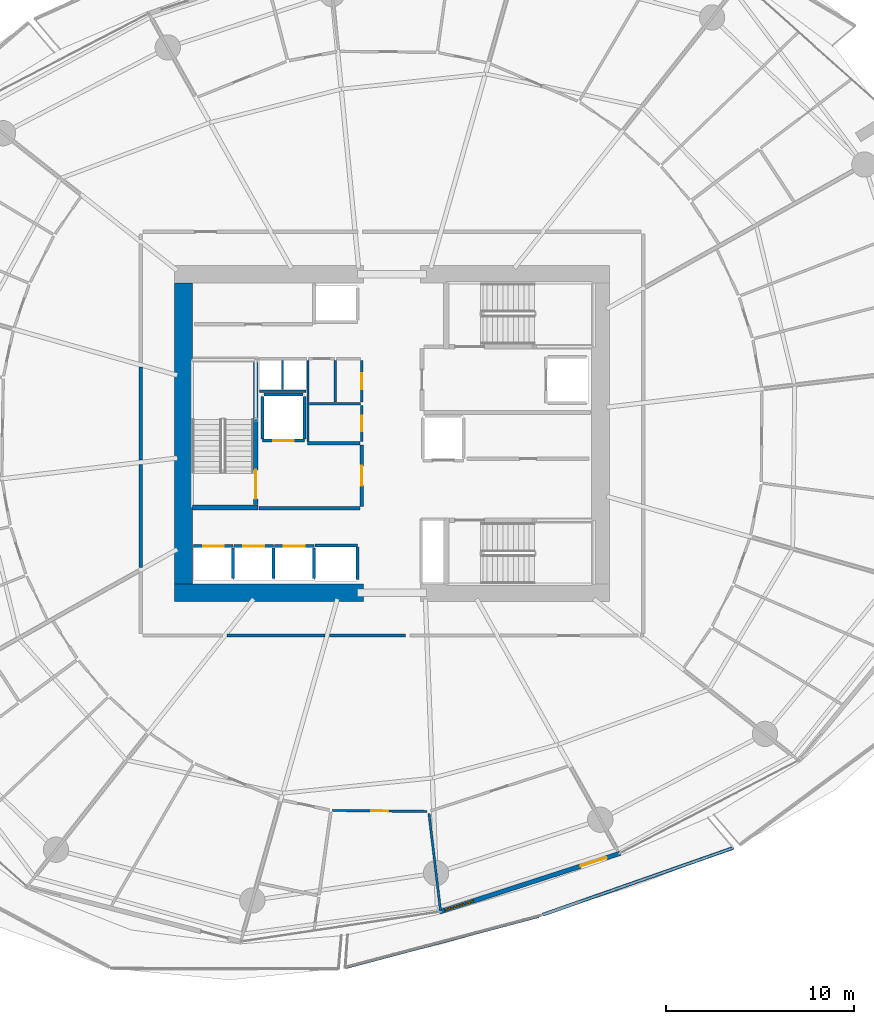
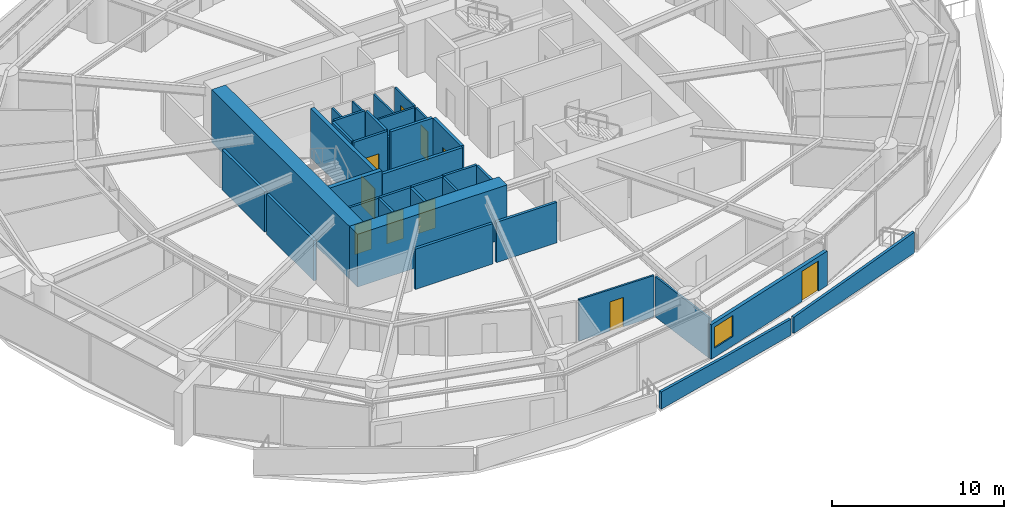
# One storey, part 20 of 31: 35 walls, 10 doors, 1 window, 11 openings.
"""IFC4 building model written with IfcOpenShell, lengths in metres."""

from ifc_helpers import new_model, si_unit, direction, frame, frame_2d, origin, place, context, subcontext, project, spatial, polyline, rectangle, outline, extrude, material, layer, layer_set, type_object, element, fill, save


model = new_model("IFC4")

# Units and contexts
model_context = context("Model", 3, precision=1e-05, world=origin(), true_north=direction((0.0, 1.0)))
body_context = subcontext(model_context, "Body", "Model", "MODEL_VIEW")
ifc_project = project(units=[si_unit("LENGTHUNIT", "METRE"), si_unit("AREAUNIT", "SQUARE_METRE"), si_unit("VOLUMEUNIT", "CUBIC_METRE"), si_unit("PLANEANGLEUNIT", "RADIAN"), si_unit("MASSUNIT", "GRAM", prefix="KILO")], contexts=[model_context])

# Site, building, storey
site_placement = place(None, origin())
site = spatial("IfcSite", under=ifc_project, at=site_placement, CompositionType="ELEMENT")
building_placement = place(site_placement, origin())
building = spatial("IfcBuilding", under=site, at=building_placement, Name="Kazma Halo Residences", CompositionType="ELEMENT")
storey_placement = place(building_placement, frame((0.0, 0.0, 30.14990234375)))
storey = spatial("IfcBuildingStorey", under=building, at=storey_placement, Name="L06", CompositionType="ELEMENT", Elevation=30.14990234375)

# Walls
ifc_material_1 = material(Name="White Concrete C50/60 Balustrade", Category="concrete")
ifc_layer_1 = layer(ifc_material_1, 0.179931640625)
ifc_layer_set_1 = layer_set([ifc_layer_1], Name="White Concrete C50/60 Balustrade")
wall_type_1 = type_object("IfcWallType", Name="WL-BAL-WAVE-180", PredefinedType="PARAPET", material=ifc_layer_set_1)
wall_1_placement = place(storey_placement, frame((45.93896484375, 13.593505859375, 0.0), z_axis=(0.0, 0.0, 1.0), x_axis=(0.966585359961, 0.256344966614, 0.0)))
element("IfcWall", 1, at=wall_1_placement, inside=storey, type_object=wall_type_1, Name="L06 white wave balustrade wall SSE.1", PredefinedType="PARAPET", context=body_context, shape_type="SweptSolid", body=[
    extrude(outline(polyline([(0.0, 0.0), (10.63427734375, 0.0), (10.634521484375, 1.148193359375), (5.3173828125, 1.127197265625), (0.0, 1.22412109375), (0.0, 0.0)])), frame((0.0, 0.08984375, 0.0), z_axis=(0.0, -1.0, 0.0), x_axis=(1.0, 0.0, 0.0)), (0.0, 0.0, 1.0), 0.179931640625),
])
wall_2_placement = place(storey_placement, frame((56.447265625, 16.39013671875, 0.0), z_axis=(0.0, 0.0, 1.0), x_axis=(0.943634553286, 0.330989168772, 0.0)))
element("IfcWall", 2, at=wall_2_placement, inside=storey, type_object=wall_type_1, Name="L06 white wave balustrade wall SSE.2", PredefinedType="PARAPET", context=body_context, shape_type="SweptSolid", body=[
    extrude(outline(polyline([(0.0, 0.0), (10.7587890625, 0.0), (10.7587890625, 1.483154296875), (5.37939453125, 1.2841796875), (0.0, 1.148193359375), (0.0, 0.0)])), frame((0.0, 0.08984375, 0.0), z_axis=(0.0, -1.0, 0.0), x_axis=(1.0, 0.0, 0.0)), (0.0, 0.0, 1.0), 0.179931640625),
])
ifc_material_2 = material(Name="Concrete C80/95", Category="concrete")
ifc_layer_2 = layer(ifc_material_2, 0.949951171875)
ifc_layer_set_2 = layer_set([ifc_layer_2], Name="Concrete C80/95")
wall_type_2 = type_object("IfcWallType", Name="WL-CORE-950", PredefinedType="SHEAR", material=ifc_layer_set_2)
wall_3_placement = place(storey_placement, frame((36.85009765625, 33.52490234375, 0.0), z_axis=(0.0, 0.0, 1.0), x_axis=(1.0, 0.0, 0.0)))
element("IfcWall", 3, at=wall_3_placement, inside=storey, type_object=wall_type_2, Name="L06 central core shear wall SW", PredefinedType="SHEAR", context=body_context, shape_type="SweptSolid", body=[
    extrude(rectangle(XDim=10.0498046875, YDim=0.949951171875, at=frame_2d((5.02490234375, 0.0))), origin(), (0.0, 0.0, 1.0), 3.75),
])
wall_4_placement = place(storey_placement, frame((37.324951171875, 34.0, 0.0), z_axis=(0.0, 0.0, 1.0), x_axis=(0.0, 1.0, 0.0)))
element("IfcWall", 4, at=wall_4_placement, inside=storey, type_object=wall_type_2, Name="L06 central core shear wall W", PredefinedType="SHEAR", context=body_context, shape_type="SweptSolid", body=[
    extrude(rectangle(XDim=16.0, YDim=0.949951171875, at=frame_2d((8.0, 0.0))), origin(), (0.0, 0.0, 1.0), 3.75),
])
ifc_material_3 = material(Name="Concrete C60/75", Category="concrete")
ifc_layer_3 = layer(ifc_material_3, 0.280029296875)
ifc_layer_set_3 = layer_set([ifc_layer_3], Name="Concrete C60/75")
wall_type_3 = type_object("IfcWallType", Name="WL-CORE-ST-280", PredefinedType="SHEAR", material=ifc_layer_set_3)
wall_5_placement = place(storey_placement, frame((37.800048828125, 38.06005859375, 0.0), z_axis=(0.0, 0.0, 1.0), x_axis=(1.0, 0.0, 0.0)))
element("IfcWall", 5, at=wall_5_placement, inside=storey, type_object=wall_type_3, Name="L06 stairwell bearing wall ST01-S", PredefinedType="SHEAR", context=body_context, shape_type="SweptSolid", body=[
    extrude(rectangle(XDim=3.5, YDim=0.280029296875, at=frame_2d((1.75, 0.0))), origin(), (0.0, 0.0, 1.0), 3.75),
])
ifc_material_4 = material(Name="Acoustic Twin-Stud Gypsum")
ifc_layer_4 = layer(ifc_material_4, 0.179931640625)
ifc_layer_set_4 = layer_set([ifc_layer_4], Name="Acoustic Twin-Stud Gypsum")
wall_type_4 = type_object("IfcWallType", Name="WL-DEM-180", PredefinedType="PARTITIONING", material=ifc_layer_set_4)
wall_6_placement = place(storey_placement, frame((35.050048828125, 45.5322265625, 0.0), z_axis=(0.0, 0.0, 1.0), x_axis=(0.0, -1.0, 0.0)))
element("IfcWall", 6, at=wall_6_placement, inside=storey, type_object=wall_type_4, Name="L06 Apartment 1 inner wall 6", PredefinedType="PARTITIONING", context=body_context, shape_type="SweptSolid", body=[
    extrude(rectangle(XDim=4.94482421875, YDim=0.179931640625, at=frame_2d((2.472412109375, 0.0))), origin(), (0.0, 0.0, 1.0), 2.8671875),
])
wall_7_placement = place(storey_placement, frame((35.050048828125, 40.347412109375, 0.0), z_axis=(0.0, 0.0, 1.0), x_axis=(0.0, -1.0, 0.0)))
element("IfcWall", 7, at=wall_7_placement, inside=storey, type_object=wall_type_4, Name="L06 Apartment 1 inner wall 7", PredefinedType="PARTITIONING", context=body_context, shape_type="SweptSolid", body=[
    extrude(rectangle(XDim=5.479736328125, YDim=0.179931640625, at=frame_2d((2.73974609375, 0.0))), origin(), (0.0, 0.0, 1.0), 2.8671875),
])
wall_8_placement = place(storey_placement, frame((39.6455078125, 31.25, 0.0), z_axis=(0.0, 0.0, 1.0), x_axis=(1.0, 0.0, 0.0)))
element("IfcWall", 8, at=wall_8_placement, inside=storey, type_object=wall_type_4, Name="L06 Apartment 2 inner wall 9", PredefinedType="PARTITIONING", context=body_context, shape_type="SweptSolid", body=[
    extrude(rectangle(XDim=5.20263671875, YDim=0.179931640625, at=frame_2d((2.601318359375, 0.0))), origin(), (0.0, 0.0, 1.0), 2.8671875),
])
wall_9_placement = place(storey_placement, frame((45.088134765625, 31.25, 0.0), z_axis=(0.0, 0.0, 1.0), x_axis=(1.0, 0.0, 0.0)))
element("IfcWall", 9, at=wall_9_placement, inside=storey, type_object=wall_type_4, Name="L06 Apartment 2 inner wall 10", PredefinedType="PARTITIONING", context=body_context, shape_type="SweptSolid", body=[
    extrude(rectangle(XDim=4.064208984375, YDim=0.179931640625, at=frame_2d((2.0322265625, 0.0))), origin(), (0.0, 0.0, 1.0), 2.8671875),
])

# Wall, openings, door, window
ifc_material_5 = material(Name="Insulated Pale-Metal Composite Wall")
ifc_layer_5 = layer(ifc_material_5, 0.239990234375)
ifc_layer_set_5 = layer_set([ifc_layer_5], Name="Insulated Pale-Metal Composite Wall")
wall_type_5 = type_object("IfcWallType", Name="WL-EXT-HOST-240", PredefinedType="SOLIDWALL", material=ifc_layer_set_5)
wall_10_placement = place(storey_placement, frame((50.9638671875, 16.54150390625, 0.0), z_axis=(0.0, 0.0, 1.0), x_axis=(0.951054679225, 0.309022648238, 0.0)))
wall_10 = element("IfcWall", 10, at=wall_10_placement, inside=storey, type_object=wall_type_5, Name="L06 exterior terrace-access wall B12", PredefinedType="SOLIDWALL", context=body_context, shape_type="SweptSolid", body=[
    extrude(rectangle(XDim=10.0966796875, YDim=0.239990234375, at=frame_2d((5.04833984375, 0.0))), origin(), (0.0, 0.0, 1.0), 2.4501953125),
])
opening_1_placement = place(wall_10_placement, frame((7.876708984375, 0.0, 0.0)))
opening_1 = element("IfcOpeningElement", 11, at=opening_1_placement, cuts=wall_10, Name="Opening DTR-1600", PredefinedType="OPENING", context=body_context, shape_type="SweptSolid", body=[
    extrude(rectangle(XDim=1.449951171875, YDim=2.14990234375, at=frame_2d((0.72509765625, 1.074951171875))), frame((0.0, 0.1298828125, 0.0), z_axis=(0.0, -1.0, 0.0), x_axis=(1.0, 0.0, 0.0)), (0.0, 0.0, 1.0), 0.260009765625),
])
opening_2_placement = place(wall_10_placement, frame((0.280029296875, 0.0, 0.64990234375)))
opening_2 = element("IfcOpeningElement", 12, at=opening_2_placement, cuts=wall_10, Name="Opening W-1800", PredefinedType="OPENING", context=body_context, shape_type="SweptSolid", body=[
    extrude(rectangle(XDim=1.60009765625, YDim=1.5, at=frame_2d((0.800048828125, 0.75))), frame((0.0, 0.1298828125, 0.0), z_axis=(0.0, -1.0, 0.0), x_axis=(1.0, 0.0, 0.0)), (0.0, 0.0, 1.0), 0.260009765625),
])
ifc_material_6 = material(Name="Aluminium AW-6063 T6 Double-Glazed Terrace Door", Category="aluminium")
door_type_1 = type_object("IfcDoorType", Name="DR-EXT-TERR-1600", OperationType="NOTDEFINED", PredefinedType="DOOR", material=ifc_material_6)
door_1_placement = place(opening_1_placement, origin())
door_1 = element("IfcDoor", 13, at=door_1_placement, inside=storey, type_object=door_type_1, Name="L06 B12 balcony terrace door", OperationType="DOUBLE_DOOR_SLIDING", OverallHeight=2.14990234375, OverallWidth=1.449951171875, PredefinedType="DOOR", context=body_context, shape_type="SweptSolid", body=[
    extrude(rectangle(XDim=1.449951171875, YDim=2.14990234375, at=frame_2d((0.72509765625, 1.074951171875))), frame((0.0, 0.02490234375, 0.0), z_axis=(0.0, -1.0, 0.0), x_axis=(1.0, 0.0, 0.0)), (0.0, 0.0, 1.0), 0.050048828125),
])
fill(opening_1, door_1)
ifc_material_7 = material(Name="Clear Triple-Silver Low-E Glass in Aluminium AW-6063 T6 Frame", Category="aluminium")
window_type = type_object("IfcWindowType", Name="WIN-RES-1800", PartitioningType="DOUBLE_PANEL_VERTICAL", PredefinedType="WINDOW", material=ifc_material_7)
window_placement = place(opening_2_placement, origin())
window = element("IfcWindow", 14, at=window_placement, inside=storey, type_object=window_type, Name="L06 B12 apartment window", OverallHeight=1.5, OverallWidth=1.60009765625, PartitioningType="SINGLE_PANEL", PredefinedType="WINDOW", context=body_context, shape_type="SweptSolid", body=[
    extrude(rectangle(XDim=1.60009765625, YDim=1.5, at=frame_2d((0.800048828125, 0.75))), frame((0.0, 0.030029296875, 0.0), z_axis=(0.0, -1.0, 0.0), x_axis=(1.0, 0.0, 0.0)), (0.0, 0.0, 1.0), 0.06005859375),
])
fill(opening_2, window)

# Wall, opening, door
ifc_material_8 = material(Name="Fire-Rated Blockwork Masonry", Category="masonry")
ifc_layer_6 = layer(ifc_material_8, 0.199951171875)
ifc_layer_set_6 = layer_set([ifc_layer_6], Name="Fire-Rated Blockwork Masonry")
wall_type_6 = type_object("IfcWallType", Name="WL-FLB-200", PredefinedType="PARTITIONING", material=ifc_layer_set_6)
wall_11_placement = place(storey_placement, frame((37.864990234375, 36.0048828125, 0.0), z_axis=(0.0, 0.0, 1.0), x_axis=(1.0, 0.0, 0.0)))
wall_11 = element("IfcWall", 15, at=wall_11_placement, inside=storey, type_object=wall_type_6, Name="L06 lift shaft PL-01 front wall", PredefinedType="PARTITIONING", context=body_context, shape_type="SweptSolid", body=[
    extrude(rectangle(XDim=2.110107421875, YDim=0.159912109375, at=frame_2d((1.05517578125, 0.0))), origin(), (0.0, 0.0, 1.0), 3.5),
])
opening_3_placement = place(wall_11_placement, frame((0.5048828125, 0.0, 0.0)))
opening_3 = element("IfcOpeningElement", 16, at=opening_3_placement, cuts=wall_11, Name="Opening LD-PL-01", PredefinedType="OPENING", context=body_context, shape_type="SweptSolid", body=[
    extrude(rectangle(XDim=1.10009765625, YDim=2.10009765625, at=frame_2d((0.550048828125, 1.050048828125))), frame((0.0, 0.08984375, 0.0), z_axis=(0.0, -1.0, 0.0), x_axis=(1.0, 0.0, 0.0)), (0.0, 0.0, 1.0), 0.179931640625),
])
ifc_material_9 = material(Name="Stainless Steel Fire-Rated", Category="steel")
door_type_2 = type_object("IfcDoorType", Name="DR-LIFT-SLD-1100", OperationType="DOUBLE_DOOR_SLIDING", PredefinedType="DOOR", material=ifc_material_9)
door_2_placement = place(opening_3_placement, origin())
door_2 = element("IfcDoor", 17, at=door_2_placement, inside=storey, type_object=door_type_2, Name="L06 lift PL-01 sliding landing door", OperationType="DOUBLE_DOOR_SLIDING", OverallHeight=2.10009765625, OverallWidth=1.10009765625, PredefinedType="DOOR", context=body_context, shape_type="SweptSolid", body=[
    extrude(rectangle(XDim=1.10009765625, YDim=2.10009765625, at=frame_2d((0.550048828125, 1.050048828125))), frame((0.0, 0.02490234375, 0.0), z_axis=(0.0, -1.0, 0.0), x_axis=(1.0, 0.0, 0.0)), (0.0, 0.0, 1.0), 0.050048828125),
])
fill(opening_3, door_2)

# Wall
wall_12_placement = place(storey_placement, frame((39.97509765625, 34.294921875, 0.0), z_axis=(0.0, 0.0, 1.0), x_axis=(0.0, 1.0, 0.0)))
element("IfcWall", 18, at=wall_12_placement, inside=storey, type_object=wall_type_6, Name="L06 lift shaft PL-01 side wall E", PredefinedType="PARTITIONING", context=body_context, shape_type="SweptSolid", body=[
    extrude(rectangle(XDim=1.610107421875, YDim=0.159912109375, at=frame_2d((0.80517578125, 0.0))), origin(), (0.0, 0.0, 1.0), 3.5),
])

# Wall, opening, door
wall_13_placement = place(storey_placement, frame((40.014892578125, 36.0048828125, 0.0), z_axis=(0.0, 0.0, 1.0), x_axis=(1.0, 0.0, 0.0)))
wall_13 = element("IfcWall", 19, at=wall_13_placement, inside=storey, type_object=wall_type_6, Name="L06 lift shaft PL-02 front wall", PredefinedType="PARTITIONING", context=body_context, shape_type="SweptSolid", body=[
    extrude(rectangle(XDim=2.110107421875, YDim=0.159912109375, at=frame_2d((1.05517578125, 0.0))), origin(), (0.0, 0.0, 1.0), 3.5),
])
opening_4_placement = place(wall_13_placement, frame((0.5048828125, 0.0, 0.0)))
opening_4 = element("IfcOpeningElement", 20, at=opening_4_placement, cuts=wall_13, Name="Opening LD-PL-02", PredefinedType="OPENING", context=body_context, shape_type="SweptSolid", body=[
    extrude(rectangle(XDim=1.10009765625, YDim=2.10009765625, at=frame_2d((0.550048828125, 1.050048828125))), frame((0.0, 0.08984375, 0.0), z_axis=(0.0, -1.0, 0.0), x_axis=(1.0, 0.0, 0.0)), (0.0, 0.0, 1.0), 0.179931640625),
])
door_3_placement = place(opening_4_placement, origin())
door_3 = element("IfcDoor", 21, at=door_3_placement, inside=storey, type_object=door_type_2, Name="L06 lift PL-02 sliding landing door", OperationType="DOUBLE_DOOR_SLIDING", OverallHeight=2.10009765625, OverallWidth=1.10009765625, PredefinedType="DOOR", context=body_context, shape_type="SweptSolid", body=[
    extrude(rectangle(XDim=1.10009765625, YDim=2.10009765625, at=frame_2d((0.550048828125, 1.050048828125))), frame((0.0, 0.02490234375, 0.0), z_axis=(0.0, -1.0, 0.0), x_axis=(1.0, 0.0, 0.0)), (0.0, 0.0, 1.0), 0.050048828125),
])
fill(opening_4, door_3)

# Wall
wall_14_placement = place(storey_placement, frame((42.125, 34.294921875, 0.0), z_axis=(0.0, 0.0, 1.0), x_axis=(0.0, 1.0, 0.0)))
element("IfcWall", 22, at=wall_14_placement, inside=storey, type_object=wall_type_6, Name="L06 lift shaft PL-02 side wall E", PredefinedType="PARTITIONING", context=body_context, shape_type="SweptSolid", body=[
    extrude(rectangle(XDim=1.610107421875, YDim=0.159912109375, at=frame_2d((0.80517578125, 0.0))), origin(), (0.0, 0.0, 1.0), 3.5),
])

# Wall, opening, door
wall_15_placement = place(storey_placement, frame((42.1650390625, 36.0048828125, 0.0), z_axis=(0.0, 0.0, 1.0), x_axis=(1.0, 0.0, 0.0)))
wall_15 = element("IfcWall", 23, at=wall_15_placement, inside=storey, type_object=wall_type_6, Name="L06 lift shaft PL-03 front wall", PredefinedType="PARTITIONING", context=body_context, shape_type="SweptSolid", body=[
    extrude(rectangle(XDim=2.10986328125, YDim=0.159912109375, at=frame_2d((1.054931640625, 0.0))), origin(), (0.0, 0.0, 1.0), 3.5),
])
opening_5_placement = place(wall_15_placement, frame((0.5048828125, 0.0, 0.0)))
opening_5 = element("IfcOpeningElement", 24, at=opening_5_placement, cuts=wall_15, Name="Opening LD-PL-03", PredefinedType="OPENING", context=body_context, shape_type="SweptSolid", body=[
    extrude(rectangle(XDim=1.10009765625, YDim=2.10009765625, at=frame_2d((0.550048828125, 1.050048828125))), frame((0.0, 0.08984375, 0.0), z_axis=(0.0, -1.0, 0.0), x_axis=(1.0, 0.0, 0.0)), (0.0, 0.0, 1.0), 0.179931640625),
])
door_4_placement = place(opening_5_placement, origin())
door_4 = element("IfcDoor", 25, at=door_4_placement, inside=storey, type_object=door_type_2, Name="L06 lift PL-03 sliding landing door", OperationType="DOUBLE_DOOR_SLIDING", OverallHeight=2.10009765625, OverallWidth=1.10009765625, PredefinedType="DOOR", context=body_context, shape_type="SweptSolid", body=[
    extrude(rectangle(XDim=1.10009765625, YDim=2.10009765625, at=frame_2d((0.550048828125, 1.050048828125))), frame((0.0, 0.02490234375, 0.0), z_axis=(0.0, -1.0, 0.0), x_axis=(1.0, 0.0, 0.0)), (0.0, 0.0, 1.0), 0.050048828125),
])
fill(opening_5, door_4)

# Walls
wall_16_placement = place(storey_placement, frame((44.27490234375, 34.294921875, 0.0), z_axis=(0.0, 0.0, 1.0), x_axis=(0.0, 1.0, 0.0)))
element("IfcWall", 26, at=wall_16_placement, inside=storey, type_object=wall_type_6, Name="L06 lift shaft PL-03 side wall E", PredefinedType="PARTITIONING", context=body_context, shape_type="SweptSolid", body=[
    extrude(rectangle(XDim=1.610107421875, YDim=0.159912109375, at=frame_2d((0.80517578125, 0.0))), origin(), (0.0, 0.0, 1.0), 3.5),
])
wall_17_placement = place(storey_placement, frame((44.320068359375, 36.054931640625, 0.0), z_axis=(0.0, 0.0, 1.0), x_axis=(1.0, 0.0, 0.0)))
element("IfcWall", 27, at=wall_17_placement, inside=storey, type_object=wall_type_6, Name="L06 lift shaft PX-02 front wall", PredefinedType="PARTITIONING", context=body_context, shape_type="SweptSolid", body=[
    extrude(rectangle(XDim=2.260009765625, YDim=0.159912109375, at=frame_2d((1.1298828125, 0.0))), origin(), (0.0, 0.0, 1.0), 3.5),
])
wall_18_placement = place(storey_placement, frame((46.580078125, 34.2451171875, 0.0), z_axis=(0.0, 0.0, 1.0), x_axis=(0.0, 1.0, 0.0)))
element("IfcWall", 28, at=wall_18_placement, inside=storey, type_object=wall_type_6, Name="L06 lift shaft PX-02 side wall E", PredefinedType="PARTITIONING", context=body_context, shape_type="SweptSolid", body=[
    extrude(rectangle(XDim=1.7099609375, YDim=0.159912109375, at=frame_2d((0.85498046875, 0.0))), origin(), (0.0, 0.0, 1.0), 3.5),
])

# Wall, opening, door
wall_19_placement = place(storey_placement, frame((43.780029296875, 41.6201171875, 0.0), z_axis=(0.0, 0.0, 1.0), x_axis=(-1.0, 0.0, 0.0)))
wall_19 = element("IfcWall", 29, at=wall_19_placement, inside=storey, type_object=wall_type_6, Name="L06 lift shaft FL-01 front wall", PredefinedType="PARTITIONING", context=body_context, shape_type="SweptSolid", body=[
    extrude(rectangle(XDim=2.260009765625, YDim=0.159912109375, at=frame_2d((1.1298828125, 0.0))), origin(), (0.0, 0.0, 1.0), 3.5),
])
opening_6_placement = place(wall_19_placement, frame((0.580078125, 0.0, 0.0)))
opening_6 = element("IfcOpeningElement", 30, at=opening_6_placement, cuts=wall_19, Name="Opening LD-FL-01", PredefinedType="OPENING", context=body_context, shape_type="SweptSolid", body=[
    extrude(rectangle(XDim=1.10009765625, YDim=2.10009765625, at=frame_2d((0.550048828125, 1.050048828125))), frame((0.0, 0.08984375, 0.0), z_axis=(0.0, -1.0, 0.0), x_axis=(1.0, 0.0, 0.0)), (0.0, 0.0, 1.0), 0.179931640625),
])
door_5_placement = place(opening_6_placement, origin())
door_5 = element("IfcDoor", 31, at=door_5_placement, inside=storey, type_object=door_type_2, Name="L06 lift FL-01 sliding landing door", OperationType="DOUBLE_DOOR_SLIDING", OverallHeight=2.10009765625, OverallWidth=1.10009765625, PredefinedType="DOOR", context=body_context, shape_type="SweptSolid", body=[
    extrude(rectangle(XDim=1.10009765625, YDim=2.10009765625, at=frame_2d((0.550048828125, 1.050048828125))), frame((0.0, 0.02490234375, 0.0), z_axis=(0.0, -1.0, 0.0), x_axis=(1.0, 0.0, 0.0)), (0.0, 0.0, 1.0), 0.050048828125),
])
fill(opening_6, door_5)

# Walls
for number, where, z_axis, x_axis, name in (
    (32, (43.780029296875, 41.719970703125, 0.0), (0.0, 0.0, 1.0), (0.0, 1.0, 0.0), "L06 lift shaft FL-01 side wall E"),
    (33, (41.52001953125, 41.719970703125, 0.0), (0.0, 0.0, 1.0), (0.0, 1.0, 0.0), "L06 lift shaft FL-01 side wall W"),
):
    element("IfcWall", number, at=place(storey_placement, frame(where, z_axis=z_axis, x_axis=x_axis)), inside=storey, type_object=wall_type_6, Name=name, PredefinedType="PARTITIONING", context=body_context, shape_type="SweptSolid", body=[
        extrude(rectangle(XDim=2.260009765625, YDim=0.159912109375, at=frame_2d((1.1298828125, 0.0))), origin(), (0.0, 0.0, 1.0), 3.5),
    ])
wall_20_placement = place(storey_placement, frame((41.6201171875, 44.080078125, 0.0), z_axis=(0.0, 0.0, 1.0), x_axis=(1.0, 0.0, 0.0)))
element("IfcWall", 34, at=wall_20_placement, inside=storey, type_object=wall_type_6, Name="L06 lift shaft FL-01 side wall N", PredefinedType="PARTITIONING", context=body_context, shape_type="SweptSolid", body=[
    extrude(rectangle(XDim=2.059814453125, YDim=0.159912109375, at=frame_2d((1.02978515625, 0.0))), origin(), (0.0, 0.0, 1.0), 3.5),
])
wall_21_placement = place(storey_placement, frame((41.35009765625, 38.02001953125, 0.0), z_axis=(0.0, 0.0, 1.0), x_axis=(1.0, 0.0, 0.0)))
element("IfcWall", 35, at=wall_21_placement, inside=storey, type_object=wall_type_6, Name="L06 west firefighting lobby south smoke wall", PredefinedType="PARTITIONING", context=body_context, shape_type="SweptSolid", body=[
    extrude(rectangle(XDim=5.369873046875, YDim=0.199951171875, at=frame_2d((2.68505859375, 0.0))), origin(), (0.0, 0.0, 1.0), 3.5),
])
wall_22_placement = place(storey_placement, frame((43.919921875, 41.47998046875, 0.0), z_axis=(0.0, 0.0, 1.0), x_axis=(1.0, 0.0, 0.0)))
element("IfcWall", 36, at=wall_22_placement, inside=storey, type_object=wall_type_6, Name="L06 west firefighting lobby north smoke wall", PredefinedType="PARTITIONING", context=body_context, shape_type="SweptSolid", body=[
    extrude(rectangle(XDim=2.800048828125, YDim=0.199951171875, at=frame_2d((1.39990234375, 0.0))), origin(), (0.0, 0.0, 1.0), 3.5),
])

# Wall, opening, door
wall_23_placement = place(storey_placement, frame((46.820068359375, 38.1201171875, 0.0), z_axis=(0.0, 0.0, 1.0), x_axis=(0.0, 1.0, 0.0)))
wall_23 = element("IfcWall", 37, at=wall_23_placement, inside=storey, type_object=wall_type_6, Name="L06 west firefighting lobby smoke wall", PredefinedType="PARTITIONING", context=body_context, shape_type="SweptSolid", body=[
    extrude(rectangle(XDim=3.259765625, YDim=0.199951171875, at=frame_2d((1.6298828125, 0.0))), origin(), (0.0, 0.0, 1.0), 3.5),
])
opening_7_placement = place(wall_23_placement, frame((1.10498046875, 0.0, 0.0)))
opening_7 = element("IfcOpeningElement", 38, at=opening_7_placement, cuts=wall_23, Name="Opening D-FLW", PredefinedType="OPENING", context=body_context, shape_type="SweptSolid", body=[
    extrude(rectangle(XDim=1.050048828125, YDim=2.10009765625, at=frame_2d((0.52490234375, 1.050048828125))), frame((0.0, 0.10986328125, 0.0), z_axis=(0.0, -1.0, 0.0), x_axis=(1.0, 0.0, 0.0)), (0.0, 0.0, 1.0), 0.219970703125),
])
ifc_material_10 = material(Name="Fire-Rated Steel Leaf", Category="steel")
door_type_3 = type_object("IfcDoorType", Name="DR-FD90-1050", OperationType="NOTDEFINED", PredefinedType="DOOR", material=ifc_material_10)
door_6_placement = place(opening_7_placement, origin())
door_6 = element("IfcDoor", 39, at=door_6_placement, inside=storey, type_object=door_type_3, Name="L06 west firefighting lobby smoke door", OperationType="SINGLE_SWING_LEFT", OverallHeight=2.10009765625, OverallWidth=1.050048828125, PredefinedType="DOOR", context=body_context, shape_type="SweptSolid", body=[
    extrude(rectangle(XDim=1.050048828125, YDim=2.10009765625, at=frame_2d((0.52490234375, 1.050048828125))), frame((0.0, 0.02490234375, 0.0), z_axis=(0.0, -1.0, 0.0), x_axis=(1.0, 0.0, 0.0)), (0.0, 0.0, 1.0), 0.050048828125),
])
fill(opening_7, door_6)

# Walls
ifc_material_11 = material(Name="Gypsum Plasterboard Partition")
ifc_layer_7 = layer(ifc_material_11, 0.125)
ifc_layer_set_7 = layer_set([ifc_layer_7], Name="Gypsum Plasterboard Partition")
wall_type_7 = type_object("IfcWallType", Name="WL-PART-125", PredefinedType="PARTITIONING", material=ifc_layer_set_7)
wall_24_placement = place(storey_placement, frame((41.360107421875, 44.260009765625, 0.0), z_axis=(0.0, 0.0, 1.0), x_axis=(1.0, 0.0, 0.0)))
element("IfcWall", 40, at=wall_24_placement, inside=storey, type_object=wall_type_7, Name="L06 core riser south wall", PredefinedType="PARTITIONING", context=body_context, shape_type="SweptSolid", body=[
    extrude(rectangle(XDim=2.5, YDim=0.125, at=frame_2d((1.25, 0.0))), origin(), (0.0, 0.0, 1.0), 2.940185546875),
])
wall_25_placement = place(storey_placement, frame((42.60009765625, 44.35009765625, 0.0), z_axis=(0.0, 0.0, 1.0), x_axis=(0.0, 1.0, 0.0)))
element("IfcWall", 41, at=wall_25_placement, inside=storey, type_object=wall_type_7, Name="L06 core riser divider wall", PredefinedType="PARTITIONING", context=body_context, shape_type="SweptSolid", body=[
    extrude(rectangle(XDim=1.5498046875, YDim=0.125, at=frame_2d((0.77490234375, 0.0))), origin(), (0.0, 0.0, 1.0), 2.940185546875),
])
wall_26_placement = place(storey_placement, frame((43.949951171875, 41.580078125, 0.0), z_axis=(0.0, 0.0, 1.0), x_axis=(0.0, 1.0, 0.0)))
element("IfcWall", 42, at=wall_26_placement, inside=storey, type_object=wall_type_7, Name="L06 core service west wall", PredefinedType="PARTITIONING", context=body_context, shape_type="SweptSolid", body=[
    extrude(rectangle(XDim=4.31982421875, YDim=0.125, at=frame_2d((2.159912109375, 0.0))), origin(), (0.0, 0.0, 1.0), 2.940185546875),
])
wall_27_placement = place(storey_placement, frame((44.030029296875, 43.590087890625, 0.0), z_axis=(0.0, 0.0, 1.0), x_axis=(1.0, 0.0, 0.0)))
element("IfcWall", 43, at=wall_27_placement, inside=storey, type_object=wall_type_7, Name="L06 core service horiz divider", PredefinedType="PARTITIONING", context=body_context, shape_type="SweptSolid", body=[
    extrude(rectangle(XDim=2.7099609375, YDim=0.125, at=frame_2d((1.35498046875, 0.0))), origin(), (0.0, 0.0, 1.0), 2.940185546875),
])
wall_28_placement = place(storey_placement, frame((45.409912109375, 43.669921875, 0.0), z_axis=(0.0, 0.0, 1.0), x_axis=(0.0, 1.0, 0.0)))
element("IfcWall", 44, at=wall_28_placement, inside=storey, type_object=wall_type_7, Name="L06 core service vert divider", PredefinedType="PARTITIONING", context=body_context, shape_type="SweptSolid", body=[
    extrude(rectangle(XDim=2.22998046875, YDim=0.125, at=frame_2d((1.114990234375, 0.0))), origin(), (0.0, 0.0, 1.0), 2.940185546875),
])

# Wall, opening, door
wall_29_placement = place(storey_placement, frame((46.820068359375, 41.580078125, 0.0), z_axis=(0.0, 0.0, 1.0), x_axis=(0.0, 1.0, 0.0)))
wall_29 = element("IfcWall", 45, at=wall_29_placement, inside=storey, type_object=wall_type_7, Name="L06 refuse room east wall", PredefinedType="PARTITIONING", context=body_context, shape_type="SweptSolid", body=[
    extrude(rectangle(XDim=1.909912109375, YDim=0.125, at=frame_2d((0.955078125, 0.0))), origin(), (0.0, 0.0, 1.0), 2.940185546875),
])
opening_8_placement = place(wall_29_placement, frame((0.530029296875, 0.0, 0.0)))
opening_8 = element("IfcOpeningElement", 46, at=opening_8_placement, cuts=wall_29, Name="Opening DS-850", PredefinedType="OPENING", context=body_context, shape_type="SweptSolid", body=[
    extrude(rectangle(XDim=0.85009765625, YDim=2.06005859375, at=frame_2d((0.425048828125, 1.030029296875))), frame((0.0, 0.072509765625, 0.0), z_axis=(0.0, -1.0, 0.0), x_axis=(1.0, 0.0, 0.0)), (0.0, 0.0, 1.0), 0.14501953125),
])
ifc_material_12 = material(Name="Painted Steel Access Leaf", Category="steel")
door_type_4 = type_object("IfcDoorType", Name="DR-SVC-850", OperationType="NOTDEFINED", PredefinedType="DOOR", material=ifc_material_12)
door_7_placement = place(opening_8_placement, origin())
door_7 = element("IfcDoor", 47, at=door_7_placement, inside=storey, type_object=door_type_4, Name="L06 refuse room door", OperationType="SINGLE_SWING_LEFT", OverallHeight=2.06005859375, OverallWidth=0.85009765625, PredefinedType="DOOR", context=body_context, shape_type="SweptSolid", body=[
    extrude(rectangle(XDim=0.85009765625, YDim=2.06005859375, at=frame_2d((0.425048828125, 1.030029296875))), frame((0.0, 0.02490234375, 0.0), z_axis=(0.0, -1.0, 0.0), x_axis=(1.0, 0.0, 0.0)), (0.0, 0.0, 1.0), 0.050048828125),
])
fill(opening_8, door_7)

wall_30_placement = place(storey_placement, frame((46.820068359375, 43.68994140625, 0.0), z_axis=(0.0, 0.0, 1.0), x_axis=(0.0, 1.0, 0.0)))
wall_30 = element("IfcWall", 48, at=wall_30_placement, inside=storey, type_object=wall_type_7, Name="L06 sub-metering east wall", PredefinedType="PARTITIONING", context=body_context, shape_type="SweptSolid", body=[
    extrude(rectangle(XDim=2.18994140625, YDim=0.125, at=frame_2d((1.094970703125, 0.0))), origin(), (0.0, 0.0, 1.0), 2.940185546875),
])
opening_9_placement = place(wall_30_placement, frame((0.669921875, 0.0, 0.0)))
opening_9 = element("IfcOpeningElement", 49, at=opening_9_placement, cuts=wall_30, Name="Opening DS-850", PredefinedType="OPENING", context=body_context, shape_type="SweptSolid", body=[
    extrude(rectangle(XDim=0.85009765625, YDim=2.06005859375, at=frame_2d((0.425048828125, 1.030029296875))), frame((0.0, 0.072509765625, 0.0), z_axis=(0.0, -1.0, 0.0), x_axis=(1.0, 0.0, 0.0)), (0.0, 0.0, 1.0), 0.14501953125),
])
door_8_placement = place(opening_9_placement, origin())
door_8 = element("IfcDoor", 50, at=door_8_placement, inside=storey, type_object=door_type_4, Name="L06 sub-metering door", OperationType="SINGLE_SWING_RIGHT", OverallHeight=2.06005859375, OverallWidth=0.85009765625, PredefinedType="DOOR", context=body_context, shape_type="SweptSolid", body=[
    extrude(rectangle(XDim=0.85009765625, YDim=2.06005859375, at=frame_2d((0.425048828125, 1.030029296875))), frame((0.0, 0.02490234375, 0.0), z_axis=(0.0, -1.0, 0.0), x_axis=(1.0, 0.0, 0.0)), (0.0, 0.0, 1.0), 0.050048828125),
])
fill(opening_9, door_8)

wall_31_placement = place(storey_placement, frame((45.267822265625, 21.943603515625, 0.0), z_axis=(0.0, 0.0, 1.0), x_axis=(0.999939426187, -0.011006541512, 0.0)))
wall_31 = element("IfcWall", 51, at=wall_31_placement, inside=storey, type_object=wall_type_7, Name="L06 Apartment 2 Inner Master Bedroom hall wall", PredefinedType="PARTITIONING", context=body_context, shape_type="SweptSolid", body=[
    extrude(rectangle(XDim=5.012939453125, YDim=0.125, at=frame_2d((2.50634765625, 0.0))), origin(), (0.0, 0.0, 1.0), 2.940185546875),
])
opening_10_placement = place(wall_31_placement, frame((2.056396484375, 0.0, 0.0)))
opening_10 = element("IfcOpeningElement", 52, at=opening_10_placement, cuts=wall_31, Name="Opening DI-950", PredefinedType="OPENING", context=body_context, shape_type="SweptSolid", body=[
    extrude(rectangle(XDim=0.89990234375, YDim=2.080078125, at=frame_2d((0.449951171875, 1.0400390625))), frame((0.0, 0.072509765625, 0.0), z_axis=(0.0, -1.0, 0.0), x_axis=(1.0, 0.0, 0.0)), (0.0, 0.0, 1.0), 0.14501953125),
])
ifc_material_13 = material(Name="Timber Veneer Flush Leaf", Category="wood")
door_type_5 = type_object("IfcDoorType", Name="DR-INT-950", OperationType="NOTDEFINED", PredefinedType="DOOR", material=ifc_material_13)
door_9_placement = place(opening_10_placement, origin())
door_9 = element("IfcDoor", 53, at=door_9_placement, inside=storey, type_object=door_type_5, Name="L06 Apartment 2 Inner Master Bedroom door", OperationType="SINGLE_SWING_LEFT", OverallHeight=2.080078125, OverallWidth=0.89990234375, PredefinedType="DOOR", context=body_context, shape_type="SweptSolid", body=[
    extrude(rectangle(XDim=0.89990234375, YDim=2.080078125, at=frame_2d((0.449951171875, 1.0400390625))), frame((0.0, 0.02490234375, 0.0), z_axis=(0.0, -1.0, 0.0), x_axis=(1.0, 0.0, 0.0)), (0.0, 0.0, 1.0), 0.050048828125),
])
fill(opening_10, door_9)

# Wall
wall_32_placement = place(storey_placement, frame((50.392333984375, 21.7880859375, 0.0), z_axis=(0.0, 0.0, 1.0), x_axis=(0.11749238711, -0.993073783246, 0.0)))
element("IfcWall", 54, at=wall_32_placement, inside=storey, type_object=wall_type_7, Name="L06 Apartment 2 radial partition 11", PredefinedType="PARTITIONING", context=body_context, shape_type="SweptSolid", body=[
    extrude(rectangle(XDim=5.24267578125, YDim=0.125, at=frame_2d((2.621337890625, 0.0))), origin(), (0.0, 0.0, 1.0), 2.8671875),
])

# Wall, opening, door
ifc_material_14 = material(Name="Concrete C50/60", Category="concrete")
ifc_layer_8 = layer(ifc_material_14, 0.25)
ifc_layer_set_8 = layer_set([ifc_layer_8], Name="Concrete C50/60")
wall_type_8 = type_object("IfcWallType", Name="WL-SHF-250", PredefinedType="SOLIDWALL", material=ifc_layer_set_8)
wall_33_placement = place(storey_placement, frame((41.179931640625, 38.219970703125, 0.0), z_axis=(0.0, 0.0, 1.0), x_axis=(0.0, 1.0, 0.0)))
wall_33 = element("IfcWall", 55, at=wall_33_placement, inside=storey, type_object=wall_type_8, Name="L06 exit stair ST-01 enclosure wall", PredefinedType="SOLIDWALL", context=body_context, shape_type="SweptSolid", body=[
    extrude(rectangle(XDim=7.56005859375, YDim=0.25, at=frame_2d((3.780029296875, 0.0))), origin(), (0.0, 0.0, 1.0), 3.5),
])
opening_11_placement = place(wall_33_placement, frame((0.300048828125, 0.0, 0.0)))
opening_11 = element("IfcOpeningElement", 56, at=opening_11_placement, cuts=wall_33, Name="Opening D-ST1", PredefinedType="OPENING", context=body_context, shape_type="SweptSolid", body=[
    extrude(rectangle(XDim=1.550048828125, YDim=2.14990234375, at=frame_2d((0.77490234375, 1.074951171875))), frame((0.0, 0.135009765625, 0.0), z_axis=(0.0, -1.0, 0.0), x_axis=(1.0, 0.0, 0.0)), (0.0, 0.0, 1.0), 0.27001953125),
])
ifc_material_15 = material(Name="Fire-Rated Double Steel Leaf", Category="steel")
door_type_6 = type_object("IfcDoorType", Name="DR-FD90-1550", OperationType="NOTDEFINED", PredefinedType="DOOR", material=ifc_material_15)
door_10_placement = place(opening_11_placement, origin())
door_10 = element("IfcDoor", 57, at=door_10_placement, inside=storey, type_object=door_type_6, Name="L06 exit stair ST-01 fire door", OperationType="DOUBLE_DOOR_SINGLE_SWING", OverallHeight=2.14990234375, OverallWidth=1.550048828125, PredefinedType="DOOR", context=body_context, shape_type="SweptSolid", body=[
    extrude(rectangle(XDim=1.550048828125, YDim=2.14990234375, at=frame_2d((0.77490234375, 1.074951171875))), frame((0.0, 0.02490234375, 0.0), z_axis=(0.0, -1.0, 0.0), x_axis=(1.0, 0.0, 0.0)), (0.0, 0.0, 1.0), 0.050048828125),
])
fill(opening_11, door_10)

save(model, "model.ifc")
